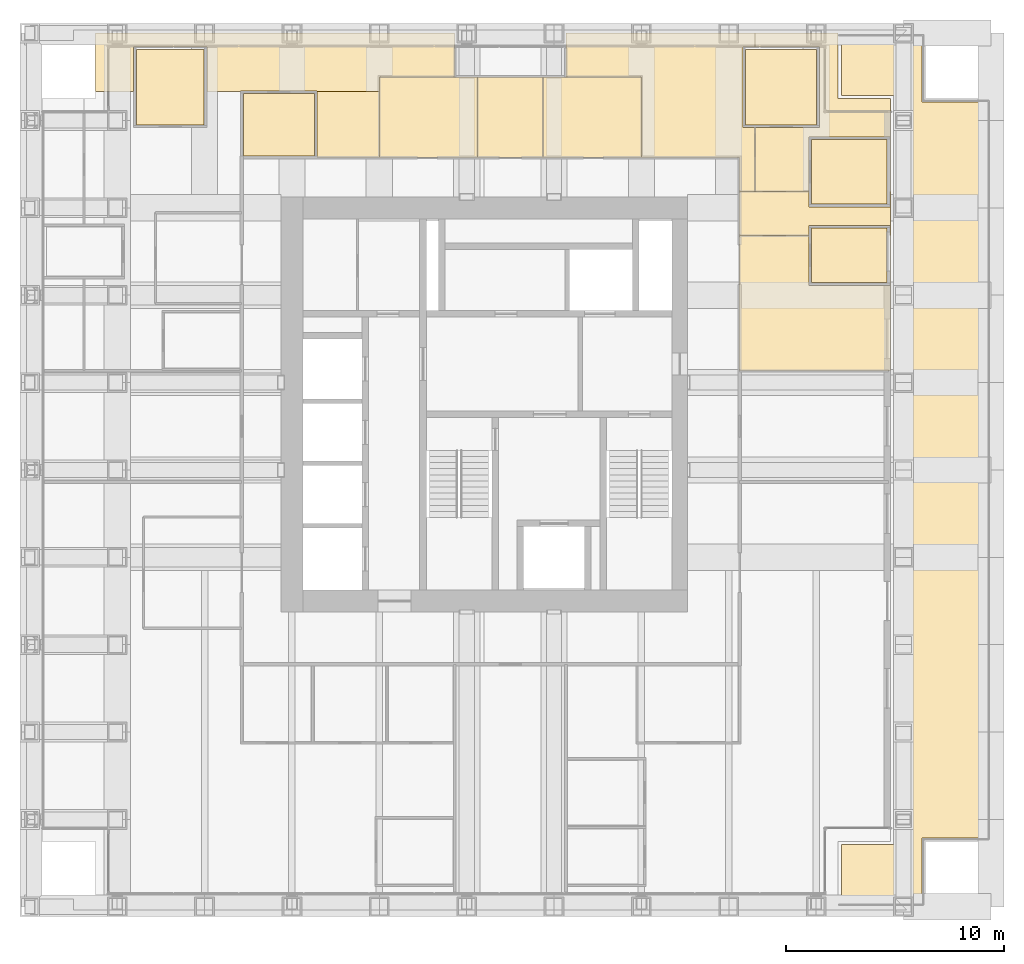
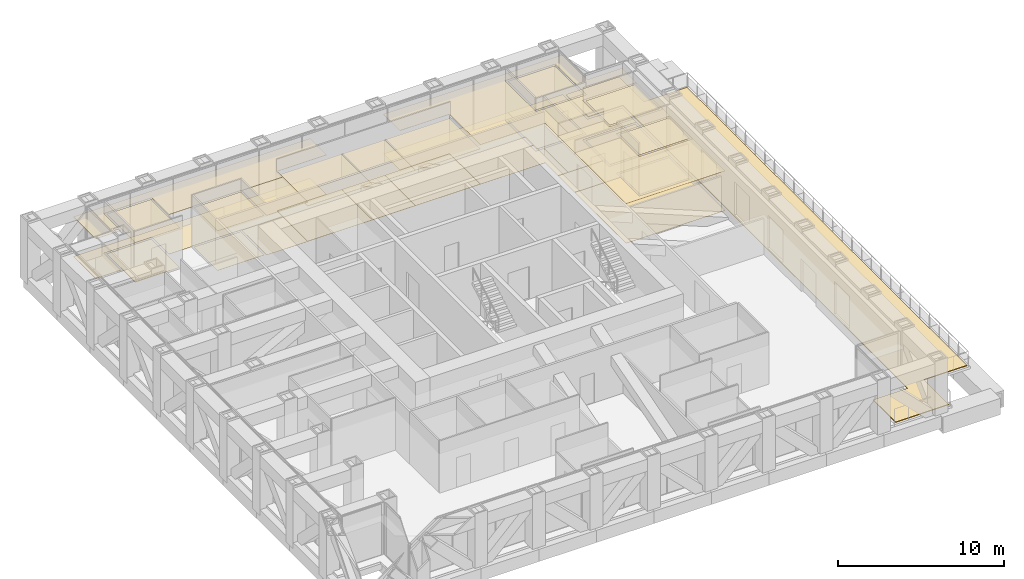
# One storey, part 14 of 14: 29 coverings.
"""IFC4 building model written with IfcOpenShell, lengths in metres."""

from ifc_helpers import new_model, si_unit, direction, frame, origin, place, context, subcontext, project, spatial, polyline, outline, extrude, material, layer, layer_set, type_object, element, save


model = new_model("IFC4")

# Units and contexts
model_context = context("Model", 3, precision=1e-05, world=origin(), true_north=direction((0.0, 1.0)))
body_context = subcontext(model_context, "Body", "Model", "MODEL_VIEW")
ifc_project = project(units=[si_unit("LENGTHUNIT", "METRE"), si_unit("AREAUNIT", "SQUARE_METRE"), si_unit("VOLUMEUNIT", "CUBIC_METRE"), si_unit("PLANEANGLEUNIT", "RADIAN"), si_unit("MASSUNIT", "GRAM", prefix="KILO")], contexts=[model_context])

# Site, building, storey
site_placement = place(None, origin())
site = spatial("IfcSite", under=ifc_project, at=site_placement, CompositionType="ELEMENT")
building_placement = place(site_placement, origin())
building = spatial("IfcBuilding", under=site, at=building_placement, Name="Rimbunsela Tower", CompositionType="ELEMENT")
storey_placement = place(building_placement, frame((0.0, 0.0, 270.199951171875)))
storey = spatial("IfcBuildingStorey", under=building, at=storey_placement, Name="L65", CompositionType="ELEMENT", Elevation=270.199951171875)

# Coverings
ifc_material_1 = material(Name="Nylon carpet tile", Category="textile")
ifc_layer_1 = layer(ifc_material_1, 0.010009765625)
ifc_layer_set_1 = layer_set([ifc_layer_1], Name="Carpet tile 10")
covering_type_1 = type_object("IfcCoveringType", Name="Carpet tile 10", PredefinedType="FLOORING", material=ifc_layer_set_1)
covering_1_placement = place(storey_placement, origin())
element("IfcCovering", 1, at=covering_1_placement, inside=storey, type_object=covering_type_1, Name="Floor finish Open office", PredefinedType="FLOORING", context=body_context, shape_type="SweptSolid", body=[
    extrude(outline(polyline([(9.0, 41.320068359375), (9.0, 44.0), (15.699951171875, 44.0), (25.448974609375, 44.0), (25.448974609375, 42.0), (22.0, 42.0), (22.0, 41.320068359375), (19.14990234375, 41.320068359375), (19.14990234375, 41.35009765625), (15.699951171875, 41.35009765625), (15.64990234375, 41.35009765625), (15.64990234375, 41.320068359375), (14.10009765625, 41.320068359375), (14.10009765625, 43.3701171875), (10.75, 43.3701171875), (10.75, 41.320068359375), (9.0, 41.320068359375)])), origin(), (0.0, 0.0, 1.0), 0.010009765625),
])
covering_2_placement = place(storey_placement, origin())
element("IfcCovering", 2, at=covering_2_placement, inside=storey, type_object=covering_type_1, Name="Floor finish Open office", PredefinedType="FLOORING", context=body_context, shape_type="SweptSolid", body=[
    extrude(outline(polyline([(22.0, 41.320068359375), (22.0, 38.300048828125), (19.14990234375, 38.300048828125), (19.14990234375, 41.320068359375), (22.0, 41.320068359375)])), origin(), (0.0, 0.0, 1.0), 0.010009765625),
])
covering_3_placement = place(storey_placement, origin())
element("IfcCovering", 3, at=covering_3_placement, inside=storey, type_object=covering_type_1, Name="Floor finish Open office", PredefinedType="FLOORING", context=body_context, shape_type="SweptSolid", body=[
    extrude(outline(polyline([(38.5, 28.551025390625), (38.5, 34.72509765625), (41.669921875, 34.72509765625), (41.669921875, 32.449951171875), (45.3701171875, 32.449951171875), (45.3701171875, 34.72509765625), (45.39990234375, 34.72509765625), (45.39990234375, 28.551025390625), (38.5, 28.551025390625)])), origin(), (0.0, 0.0, 1.0), 0.010009765625),
])
covering_4_placement = place(storey_placement, origin())
element("IfcCovering", 4, at=covering_4_placement, inside=storey, type_object=covering_type_1, Name="Floor finish Open office", PredefinedType="FLOORING", context=body_context, shape_type="SweptSolid", body=[
    extrude(outline(polyline([(38.5, 34.72509765625), (38.5, 36.75), (41.669921875, 36.75), (41.669921875, 36.050048828125), (45.3701171875, 36.050048828125), (45.3701171875, 36.75), (45.39990234375, 36.75), (45.39990234375, 34.72509765625), (45.3701171875, 34.72509765625), (45.3701171875, 35.199951171875), (41.669921875, 35.199951171875), (41.669921875, 34.72509765625), (38.5, 34.72509765625)])), origin(), (0.0, 0.0, 1.0), 0.010009765625),
])
covering_5_placement = place(storey_placement, origin())
element("IfcCovering", 5, at=covering_5_placement, inside=storey, type_object=covering_type_1, Name="Floor finish Open office", PredefinedType="FLOORING", context=body_context, shape_type="SweptSolid", body=[
    extrude(outline(polyline([(39.199951171875, 44.0), (43.0, 44.0), (43.0, 41.0), (45.39990234375, 41.0), (45.39990234375, 36.75), (45.3701171875, 36.75), (45.3701171875, 39.25), (41.669921875, 39.25), (41.669921875, 36.75), (39.199951171875, 36.75), (39.199951171875, 39.669921875), (42.14990234375, 39.669921875), (42.14990234375, 43.3701171875), (39.199951171875, 43.3701171875), (39.199951171875, 44.0)])), origin(), (0.0, 0.0, 1.0), 0.010009765625),
])
covering_6_placement = place(storey_placement, origin())
element("IfcCovering", 6, at=covering_6_placement, inside=storey, type_object=covering_type_1, Name="Floor finish Open office", PredefinedType="FLOORING", context=body_context, shape_type="SweptSolid", body=[
    extrude(outline(polyline([(38.5, 36.75), (38.5, 38.300048828125), (34.0, 38.300048828125), (34.0, 42.0), (30.551025390625, 42.0), (30.551025390625, 44.0), (38.5, 44.0), (39.199951171875, 44.0), (39.199951171875, 43.3701171875), (38.64990234375, 43.3701171875), (38.64990234375, 39.669921875), (39.199951171875, 39.669921875), (39.199951171875, 36.75), (38.5, 36.75)])), origin(), (0.0, 0.0, 1.0), 0.010009765625),
])
covering_7_placement = place(storey_placement, origin())
element("IfcCovering", 7, at=covering_7_placement, inside=storey, type_object=covering_type_1, Name="Floor finish Interview room", PredefinedType="FLOORING", context=body_context, shape_type="SweptSolid", body=[
    extrude(outline(polyline([(13.97509765625, 39.794921875), (13.97509765625, 43.2451171875), (10.875, 43.2451171875), (10.875, 39.794921875), (13.97509765625, 39.794921875)])), origin(), (0.0, 0.0, 1.0), 0.010009765625),
])
covering_8_placement = place(storey_placement, origin())
element("IfcCovering", 8, at=covering_8_placement, inside=storey, type_object=covering_type_1, Name="Floor finish Pantry", PredefinedType="FLOORING", context=body_context, shape_type="SweptSolid", body=[
    extrude(outline(polyline([(19.02490234375, 38.375), (19.02490234375, 41.22509765625), (15.77490234375, 41.22509765625), (15.77490234375, 38.375), (19.02490234375, 38.375)])), origin(), (0.0, 0.0, 1.0), 0.010009765625),
])
covering_9_placement = place(storey_placement, origin())
element("IfcCovering", 9, at=covering_9_placement, inside=storey, type_object=covering_type_1, Name="Floor finish Pantry", PredefinedType="FLOORING", context=body_context, shape_type="SweptSolid", body=[
    extrude(outline(polyline([(42.02490234375, 39.794921875), (42.02490234375, 43.2451171875), (38.77490234375, 43.2451171875), (38.77490234375, 39.794921875), (42.02490234375, 39.794921875)])), origin(), (0.0, 0.0, 1.0), 0.010009765625),
])
covering_10_placement = place(storey_placement, origin())
element("IfcCovering", 10, at=covering_10_placement, inside=storey, type_object=covering_type_1, Name="Floor finish Print and copy room", PredefinedType="FLOORING", context=body_context, shape_type="SweptSolid", body=[
    extrude(outline(polyline([(45.2451171875, 32.574951171875), (45.2451171875, 35.074951171875), (41.794921875, 35.074951171875), (41.794921875, 32.574951171875), (45.2451171875, 32.574951171875)])), origin(), (0.0, 0.0, 1.0), 0.010009765625),
])
covering_11_placement = place(storey_placement, origin())
element("IfcCovering", 11, at=covering_11_placement, inside=storey, type_object=covering_type_1, Name="Floor finish Office", PredefinedType="FLOORING", context=body_context, shape_type="SweptSolid", body=[
    extrude(outline(polyline([(45.2451171875, 36.175048828125), (45.2451171875, 39.125), (41.794921875, 39.125), (41.794921875, 36.175048828125), (45.2451171875, 36.175048828125)])), origin(), (0.0, 0.0, 1.0), 0.010009765625),
])
ifc_material_2 = material(Name="Mineral fibre ceiling tile", Category="gypsum")
ifc_layer_2 = layer(ifc_material_2, 0.02001953125)
ifc_layer_set_2 = layer_set([ifc_layer_2], Name="Ceiling 600 grid")
covering_type_2 = type_object("IfcCoveringType", Name="Ceiling 600 grid", PredefinedType="CEILING", material=ifc_layer_set_2)
covering_12_placement = place(storey_placement, frame((0.0, 0.0, 2.900146484375)))
element("IfcCovering", 12, at=covering_12_placement, inside=storey, type_object=covering_type_2, Name="Ceiling Open office", PredefinedType="CEILING", context=body_context, shape_type="SweptSolid", body=[
    extrude(outline(polyline([(9.0, 41.320068359375), (9.0, 44.0), (15.699951171875, 44.0), (25.448974609375, 44.0), (25.448974609375, 42.0), (22.0, 42.0), (22.0, 41.320068359375), (19.14990234375, 41.320068359375), (19.14990234375, 41.35009765625), (15.699951171875, 41.35009765625), (15.64990234375, 41.35009765625), (15.64990234375, 41.320068359375), (14.10009765625, 41.320068359375), (14.10009765625, 43.3701171875), (10.75, 43.3701171875), (10.75, 41.320068359375), (9.0, 41.320068359375)])), origin(), (0.0, 0.0, 1.0), 0.02001953125),
])
covering_13_placement = place(storey_placement, frame((0.0, 0.0, 2.900146484375)))
element("IfcCovering", 13, at=covering_13_placement, inside=storey, type_object=covering_type_2, Name="Ceiling Open office", PredefinedType="CEILING", context=body_context, shape_type="SweptSolid", body=[
    extrude(outline(polyline([(22.0, 41.320068359375), (22.0, 38.300048828125), (19.14990234375, 38.300048828125), (19.14990234375, 41.320068359375), (22.0, 41.320068359375)])), origin(), (0.0, 0.0, 1.0), 0.02001953125),
])
covering_14_placement = place(storey_placement, frame((0.0, 0.0, 2.900146484375)))
element("IfcCovering", 14, at=covering_14_placement, inside=storey, type_object=covering_type_2, Name="Ceiling Open office", PredefinedType="CEILING", context=body_context, shape_type="SweptSolid", body=[
    extrude(outline(polyline([(38.5, 28.551025390625), (38.5, 34.72509765625), (41.669921875, 34.72509765625), (41.669921875, 32.449951171875), (45.3701171875, 32.449951171875), (45.3701171875, 34.72509765625), (45.39990234375, 34.72509765625), (45.39990234375, 28.551025390625), (38.5, 28.551025390625)])), origin(), (0.0, 0.0, 1.0), 0.02001953125),
])
covering_15_placement = place(storey_placement, frame((0.0, 0.0, 2.900146484375)))
element("IfcCovering", 15, at=covering_15_placement, inside=storey, type_object=covering_type_2, Name="Ceiling Open office", PredefinedType="CEILING", context=body_context, shape_type="SweptSolid", body=[
    extrude(outline(polyline([(38.5, 34.72509765625), (38.5, 36.75), (41.669921875, 36.75), (41.669921875, 36.050048828125), (45.3701171875, 36.050048828125), (45.3701171875, 36.75), (45.39990234375, 36.75), (45.39990234375, 34.72509765625), (45.3701171875, 34.72509765625), (45.3701171875, 35.199951171875), (41.669921875, 35.199951171875), (41.669921875, 34.72509765625), (38.5, 34.72509765625)])), origin(), (0.0, 0.0, 1.0), 0.02001953125),
])
covering_16_placement = place(storey_placement, frame((0.0, 0.0, 2.900146484375)))
element("IfcCovering", 16, at=covering_16_placement, inside=storey, type_object=covering_type_2, Name="Ceiling Open office", PredefinedType="CEILING", context=body_context, shape_type="SweptSolid", body=[
    extrude(outline(polyline([(39.199951171875, 44.0), (43.0, 44.0), (43.0, 41.0), (45.39990234375, 41.0), (45.39990234375, 36.75), (45.3701171875, 36.75), (45.3701171875, 39.25), (41.669921875, 39.25), (41.669921875, 36.75), (39.199951171875, 36.75), (39.199951171875, 39.669921875), (42.14990234375, 39.669921875), (42.14990234375, 43.3701171875), (39.199951171875, 43.3701171875), (39.199951171875, 44.0)])), origin(), (0.0, 0.0, 1.0), 0.02001953125),
])
covering_17_placement = place(storey_placement, frame((0.0, 0.0, 2.900146484375)))
element("IfcCovering", 17, at=covering_17_placement, inside=storey, type_object=covering_type_2, Name="Ceiling Open office", PredefinedType="CEILING", context=body_context, shape_type="SweptSolid", body=[
    extrude(outline(polyline([(38.5, 36.75), (38.5, 38.300048828125), (34.0, 38.300048828125), (34.0, 42.0), (30.551025390625, 42.0), (30.551025390625, 44.0), (38.5, 44.0), (39.199951171875, 44.0), (39.199951171875, 43.3701171875), (38.64990234375, 43.3701171875), (38.64990234375, 39.669921875), (39.199951171875, 39.669921875), (39.199951171875, 36.75), (38.5, 36.75)])), origin(), (0.0, 0.0, 1.0), 0.02001953125),
])
covering_18_placement = place(storey_placement, frame((0.0, 0.0, 2.900146484375)))
element("IfcCovering", 18, at=covering_18_placement, inside=storey, type_object=covering_type_2, Name="Ceiling Interview room", PredefinedType="CEILING", context=body_context, shape_type="SweptSolid", body=[
    extrude(outline(polyline([(13.97509765625, 39.794921875), (13.97509765625, 43.2451171875), (10.875, 43.2451171875), (10.875, 39.794921875), (13.97509765625, 39.794921875)])), origin(), (0.0, 0.0, 1.0), 0.02001953125),
])
covering_19_placement = place(storey_placement, frame((0.0, 0.0, 2.900146484375)))
element("IfcCovering", 19, at=covering_19_placement, inside=storey, type_object=covering_type_2, Name="Ceiling Pantry", PredefinedType="CEILING", context=body_context, shape_type="SweptSolid", body=[
    extrude(outline(polyline([(19.02490234375, 38.375), (19.02490234375, 41.22509765625), (15.77490234375, 41.22509765625), (15.77490234375, 38.375), (19.02490234375, 38.375)])), origin(), (0.0, 0.0, 1.0), 0.02001953125),
])
covering_20_placement = place(storey_placement, frame((0.0, 0.0, 2.900146484375)))
element("IfcCovering", 20, at=covering_20_placement, inside=storey, type_object=covering_type_2, Name="Ceiling Pantry", PredefinedType="CEILING", context=body_context, shape_type="SweptSolid", body=[
    extrude(outline(polyline([(42.02490234375, 39.794921875), (42.02490234375, 43.2451171875), (38.77490234375, 43.2451171875), (38.77490234375, 39.794921875), (42.02490234375, 39.794921875)])), origin(), (0.0, 0.0, 1.0), 0.02001953125),
])
covering_21_placement = place(storey_placement, frame((0.0, 0.0, 2.900146484375)))
element("IfcCovering", 21, at=covering_21_placement, inside=storey, type_object=covering_type_2, Name="Ceiling Print and copy room", PredefinedType="CEILING", context=body_context, shape_type="SweptSolid", body=[
    extrude(outline(polyline([(45.2451171875, 32.574951171875), (45.2451171875, 35.074951171875), (41.794921875, 35.074951171875), (41.794921875, 32.574951171875), (45.2451171875, 32.574951171875)])), origin(), (0.0, 0.0, 1.0), 0.02001953125),
])
covering_22_placement = place(storey_placement, frame((0.0, 0.0, 2.900146484375)))
element("IfcCovering", 22, at=covering_22_placement, inside=storey, type_object=covering_type_2, Name="Ceiling Office", PredefinedType="CEILING", context=body_context, shape_type="SweptSolid", body=[
    extrude(outline(polyline([(45.2451171875, 36.175048828125), (45.2451171875, 39.125), (41.794921875, 39.125), (41.794921875, 36.175048828125), (45.2451171875, 36.175048828125)])), origin(), (0.0, 0.0, 1.0), 0.02001953125),
])
ifc_material_3 = material(Name="Moisture-resistant plasterboard ceiling", Category="gypsum")
ifc_layer_3 = layer(ifc_material_3, 0.012451171875)
ifc_layer_set_3 = layer_set([ifc_layer_3], Name="Ceiling moisture-resistant board")
covering_type_3 = type_object("IfcCoveringType", Name="Ceiling moisture-resistant board", PredefinedType="CEILING", material=ifc_layer_set_3)
covering_23_placement = place(storey_placement, frame((0.0, 0.0, 2.60009765625)))
element("IfcCovering", 23, at=covering_23_placement, inside=storey, type_object=covering_type_3, Name="Ceiling Female WC", PredefinedType="CEILING", context=body_context, shape_type="SweptSolid", body=[
    extrude(outline(polyline([(26.5, 38.300048828125), (26.5, 42.0), (22.0, 42.0), (22.0, 38.300048828125), (26.5, 38.300048828125)])), origin(), (0.0, 0.0, 1.0), 0.02001953125),
])
covering_24_placement = place(storey_placement, frame((0.0, 0.0, 2.60009765625)))
element("IfcCovering", 24, at=covering_24_placement, inside=storey, type_object=covering_type_3, Name="Ceiling Accessible WC", PredefinedType="CEILING", context=body_context, shape_type="SweptSolid", body=[
    extrude(outline(polyline([(29.5, 38.300048828125), (29.5, 42.0), (26.5, 42.0), (26.5, 38.300048828125), (29.5, 38.300048828125)])), origin(), (0.0, 0.0, 1.0), 0.02001953125),
])
covering_25_placement = place(storey_placement, frame((0.0, 0.0, 2.60009765625)))
element("IfcCovering", 25, at=covering_25_placement, inside=storey, type_object=covering_type_3, Name="Ceiling Male WC", PredefinedType="CEILING", context=body_context, shape_type="SweptSolid", body=[
    extrude(outline(polyline([(34.0, 38.300048828125), (34.0, 42.0), (29.5, 42.0), (29.5, 38.300048828125), (34.0, 38.300048828125)])), origin(), (0.0, 0.0, 1.0), 0.02001953125),
])
ifc_material_4 = material(Name="Porcelain floor tile in adhesive bed", Category="ceramic")
ifc_layer_4 = layer(ifc_material_4, 0.02001953125)
ifc_layer_set_4 = layer_set([ifc_layer_4], Name="Porcelain tile 20")
covering_type_4 = type_object("IfcCoveringType", Name="Porcelain tile 20", PredefinedType="FLOORING", material=ifc_layer_set_4)
covering_26_placement = place(storey_placement, origin())
element("IfcCovering", 26, at=covering_26_placement, inside=storey, type_object=covering_type_4, Name="Floor finish Female WC", PredefinedType="FLOORING", context=body_context, shape_type="SweptSolid", body=[
    extrude(outline(polyline([(26.5, 38.300048828125), (26.5, 42.0), (22.0, 42.0), (22.0, 38.300048828125), (26.5, 38.300048828125)])), origin(), (0.0, 0.0, 1.0), 0.02001953125),
])
covering_27_placement = place(storey_placement, origin())
element("IfcCovering", 27, at=covering_27_placement, inside=storey, type_object=covering_type_4, Name="Floor finish Accessible WC", PredefinedType="FLOORING", context=body_context, shape_type="SweptSolid", body=[
    extrude(outline(polyline([(29.5, 38.300048828125), (29.5, 42.0), (26.5, 42.0), (26.5, 38.300048828125), (29.5, 38.300048828125)])), origin(), (0.0, 0.0, 1.0), 0.02001953125),
])
covering_28_placement = place(storey_placement, origin())
element("IfcCovering", 28, at=covering_28_placement, inside=storey, type_object=covering_type_4, Name="Floor finish Male WC", PredefinedType="FLOORING", context=body_context, shape_type="SweptSolid", body=[
    extrude(outline(polyline([(34.0, 38.300048828125), (34.0, 42.0), (29.5, 42.0), (29.5, 38.300048828125), (34.0, 38.300048828125)])), origin(), (0.0, 0.0, 1.0), 0.02001953125),
])
ifc_material_5 = material(Name="Porcelain paving on pedestals", Category="masonry")
ifc_layer_5 = layer(ifc_material_5, 0.050048828125)
ifc_layer_set_5 = layer_set([ifc_layer_5], Name="Terrace paving 50")
covering_type_5 = type_object("IfcCoveringType", Name="Terrace paving 50", PredefinedType="FLOORING", material=ifc_layer_set_5)
covering_29_placement = place(storey_placement, origin())
element("IfcCovering", 29, at=covering_29_placement, inside=storey, type_object=covering_type_5, Name="Terrace paving L65", PredefinedType="FLOORING", context=body_context, shape_type="SweptSolid", body=[
    extrude(outline(polyline([(46.85009765625, 43.85009765625), (46.85009765625, 40.85009765625), (49.85009765625, 40.85009765625), (49.85009765625, 7.14990234375), (46.85009765625, 7.14990234375), (46.85009765625, 4.14990234375), (43.14990234375, 4.14990234375), (43.14990234375, 6.85009765625), (45.550048828125, 6.85009765625), (45.550048828125, 41.14990234375), (43.14990234375, 41.14990234375), (43.14990234375, 43.85009765625), (46.85009765625, 43.85009765625)])), origin(), (0.0, 0.0, 1.0), 0.050048828125),
])

save(model, "model.ifc")
